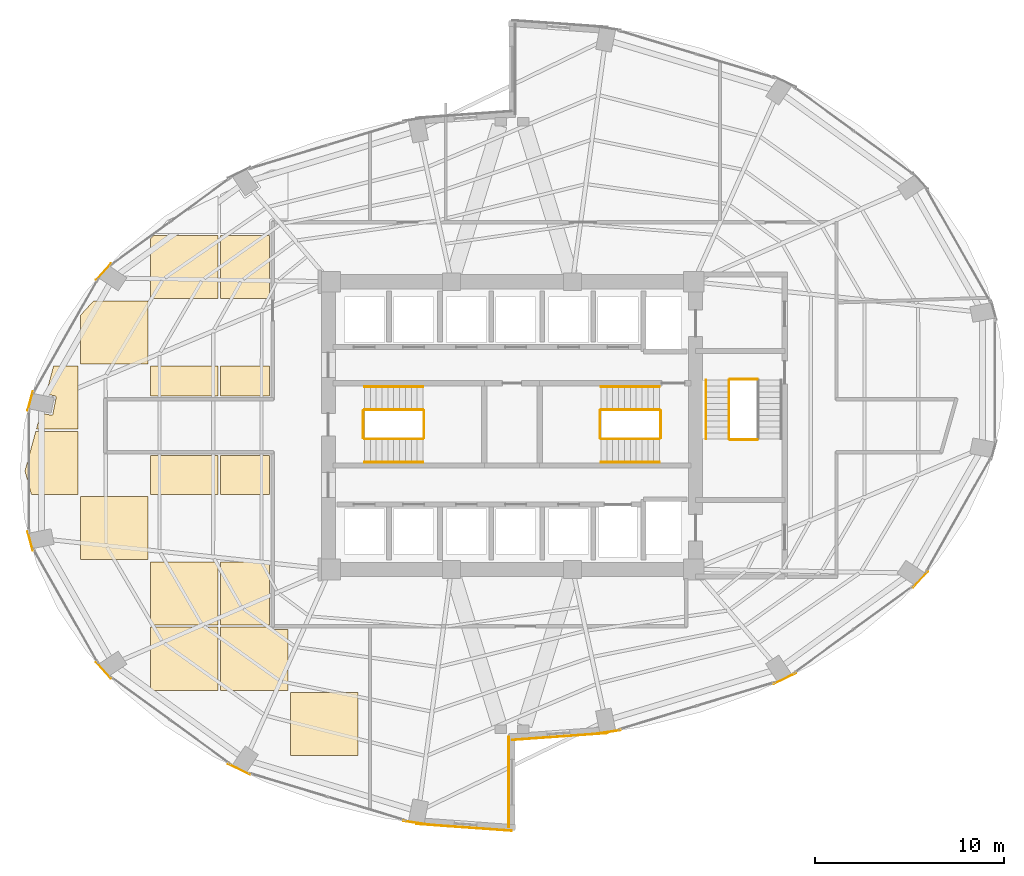
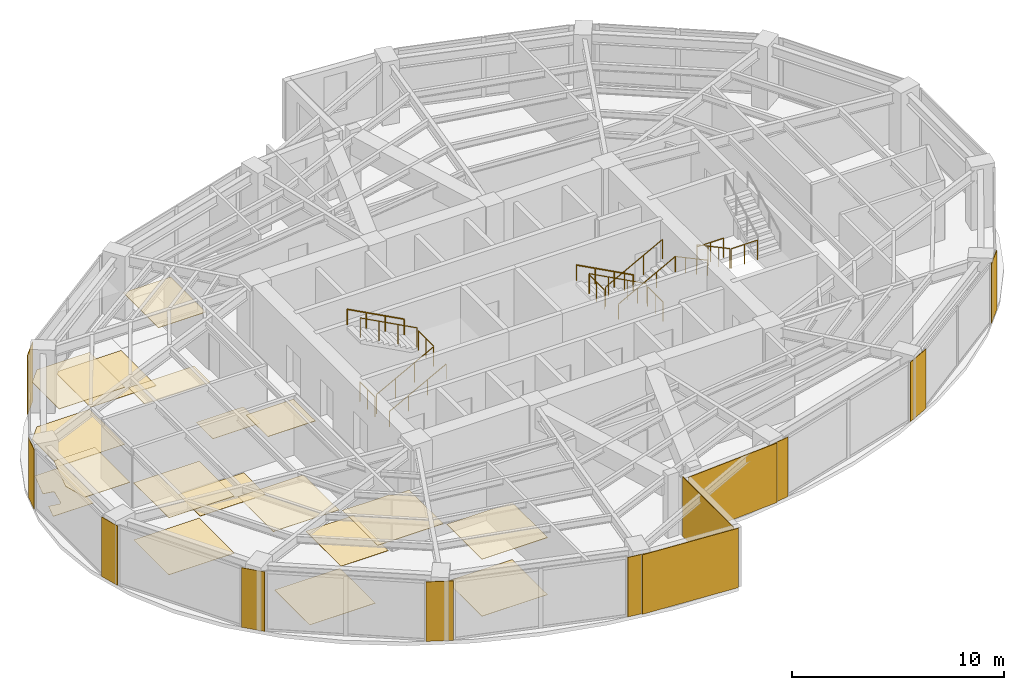
# One storey, part 22 of 23: 30 coverings, 16 railings.
"""IFC4 building model written with IfcOpenShell, lengths in metres."""

from ifc_helpers import new_model, si_unit, direction, frame, origin, origin_2d, place, context, subcontext, project, spatial, polyline, rectangle, circle, outline, extrude, material, layer, layer_set, type_object, element, save


model = new_model("IFC4")

# Units and contexts
model_context = context("Model", 3, precision=1e-05, world=origin(), true_north=direction((0.0, 1.0)))
body_context = subcontext(model_context, "Body", "Model", "MODEL_VIEW")
ifc_project = project(units=[si_unit("LENGTHUNIT", "METRE"), si_unit("AREAUNIT", "SQUARE_METRE"), si_unit("VOLUMEUNIT", "CUBIC_METRE"), si_unit("PLANEANGLEUNIT", "RADIAN"), si_unit("MASSUNIT", "GRAM", prefix="KILO")], contexts=[model_context])

# Site, building, storey
site_placement = place(None, origin())
site = spatial("IfcSite", under=ifc_project, at=site_placement, CompositionType="ELEMENT")
building_placement = place(site_placement, origin())
building = spatial("IfcBuilding", under=site, at=building_placement, Name="Lazwardi Medical Tower", CompositionType="ELEMENT")
storey_placement = place(building_placement, frame((0.0, 0.0, 121.8720703125)))
storey = spatial("IfcBuildingStorey", under=building, at=storey_placement, Name="L31", CompositionType="ELEMENT", Elevation=121.8720703125)

# Coverings
ifc_material_1 = material(Name="Anodised bronze aluminium cassette cladding", Category="aluminium")
ifc_layer_1 = layer(ifc_material_1, 0.030029296875)
ifc_layer_set_1 = layer_set([ifc_layer_1], Name="Anodised bronze aluminium cassette cladding")
covering_type_1 = type_object("IfcCoveringType", Name="COV-CLD-BRZ", PredefinedType="CLADDING", material=ifc_layer_set_1)
covering_1_placement = place(storey_placement, frame((41.064208984375, 11.80322265625, 0.0), z_axis=(0.0, 0.0, 1.0), x_axis=(0.989609019093, 0.143784523955, 0.0)))
element("IfcCovering", 1, at=covering_1_placement, inside=storey, type_object=covering_type_1, Name="L31 Mega-column bronze cassette cover M01", PredefinedType="CLADDING", context=body_context, shape_type="SweptSolid", body=[
    extrude(rectangle(XDim=1.392333984375, YDim=0.030029296875, at=origin_2d()), origin(), (0.0, 0.0, 1.0), 3.427978515625),
])
covering_2_placement = place(storey_placement, frame((50.421875, 14.634521484375, 0.0), z_axis=(0.0, 0.0, 1.0), x_axis=(0.898679250201, 0.438606435495, 0.0)))
element("IfcCovering", 2, at=covering_2_placement, inside=storey, type_object=covering_type_1, Name="L31 Mega-column bronze cassette cover M02", PredefinedType="CLADDING", context=body_context, shape_type="SweptSolid", body=[
    extrude(rectangle(XDim=1.2998046875, YDim=0.030029296875, at=origin_2d()), origin(), (0.0, 0.0, 1.0), 3.427978515625),
])
for number, where, z_axis, x_axis, name in (
    (3, (57.583740234375, 19.86572265625, 0.0), (0.0, 0.0, 1.0), (0.674925949214, 0.737885467453, 0.0), "L31 Mega-column bronze cassette cover M03"),
    (4, (14.416259765625, 36.13427734375, 0.0), (0.0, 0.0, 1.0), (-0.674925949214, -0.737885467453, 0.0), "L31 Mega-column bronze cassette cover M11"),
):
    element("IfcCovering", number, at=place(storey_placement, frame(where, z_axis=z_axis, x_axis=x_axis)), inside=storey, type_object=covering_type_1, Name=name, PredefinedType="CLADDING", context=body_context, shape_type="SweptSolid", body=[
        extrude(rectangle(XDim=1.15625, YDim=0.030029296875, at=origin_2d()), origin(), (0.0, 0.0, 1.0), 3.427978515625),
    ])
for number, where, z_axis, x_axis, name in (
    (5, (10.540283203125, 29.299072265625, 0.0), (0.0, 0.0, 1.0), (-0.262696108164, -0.964878621774, 0.0), "L31 Mega-column bronze cassette cover M12"),
    (6, (10.540283203125, 21.90087890625, 0.0), (0.0, 0.0, 1.0), (0.262696108164, -0.964878621774, 0.0), "L31 Mega-column bronze cassette cover M13"),
):
    element("IfcCovering", number, at=place(storey_placement, frame(where, z_axis=z_axis, x_axis=x_axis)), inside=storey, type_object=covering_type_1, Name=name, PredefinedType="CLADDING", context=body_context, shape_type="SweptSolid", body=[
        extrude(rectangle(XDim=1.04296875, YDim=0.030029296875, at=origin_2d()), origin(), (0.0, 0.0, 1.0), 3.427978515625),
    ])
covering_3_placement = place(storey_placement, frame((14.416259765625, 15.06591796875, 0.0), z_axis=(0.0, 0.0, 1.0), x_axis=(0.674925949214, -0.737885467453, 0.0)))
element("IfcCovering", 7, at=covering_3_placement, inside=storey, type_object=covering_type_1, Name="L31 Mega-column bronze cassette cover M14", PredefinedType="CLADDING", context=body_context, shape_type="SweptSolid", body=[
    extrude(rectangle(XDim=1.15625, YDim=0.030029296875, at=origin_2d()), origin(), (0.0, 0.0, 1.0), 3.427978515625),
])
covering_4_placement = place(storey_placement, frame((21.578125, 9.83447265625, 0.0), z_axis=(0.0, 0.0, 1.0), x_axis=(0.898679250201, -0.438606435495, 0.0)))
element("IfcCovering", 8, at=covering_4_placement, inside=storey, type_object=covering_type_1, Name="L31 Mega-column bronze cassette cover M15", PredefinedType="CLADDING", context=body_context, shape_type="SweptSolid", body=[
    extrude(rectangle(XDim=1.2998046875, YDim=0.030029296875, at=origin_2d()), origin(), (0.0, 0.0, 1.0), 3.427978515625),
])
covering_5_placement = place(storey_placement, frame((30.935791015625, 7.00341796875, 0.0), z_axis=(0.0, 0.0, 1.0), x_axis=(0.989609019093, -0.143784523955, 0.0)))
element("IfcCovering", 9, at=covering_5_placement, inside=storey, type_object=covering_type_1, Name="L31 Mega-column bronze cassette cover M16", PredefinedType="CLADDING", context=body_context, shape_type="SweptSolid", body=[
    extrude(rectangle(XDim=1.392333984375, YDim=0.030029296875, at=origin_2d()), origin(), (0.0, 0.0, 1.0), 3.427978515625),
])
ifc_material_2 = material(Name="Turquoise glazed ceramic tilework cladding", Category="masonry")
ifc_layer_2 = layer(ifc_material_2, 0.034912109375)
ifc_layer_set_2 = layer_set([ifc_layer_2], Name="Turquoise glazed ceramic tilework cladding")
covering_type_2 = type_object("IfcCoveringType", Name="COV-CLD-TRQ", PredefinedType="CLADDING", material=ifc_layer_set_2)
covering_6_placement = place(storey_placement, frame((38.533203125, 11.56591796875, 0.0), z_axis=(0.0, 0.0, 1.0), x_axis=(0.997431665415, 0.07162452672, 0.0)))
element("IfcCovering", 10, at=covering_6_placement, inside=storey, type_object=covering_type_2, Name="L31 Turquoise glazed ceramic tilework cladding", PredefinedType="CLADDING", context=body_context, shape_type="SweptSolid", body=[
    extrude(rectangle(XDim=5.05419921875, YDim=0.034912109375, at=origin_2d()), origin(), (0.0, 0.0, 1.0), 3.427978515625),
])
covering_7_placement = place(storey_placement, frame((33.466552734375, 6.76611328125, 0.0), z_axis=(0.0, 0.0, 1.0), x_axis=(0.997431165357, -0.071631490105, 0.0)))
element("IfcCovering", 11, at=covering_7_placement, inside=storey, type_object=covering_type_2, Name="L31 Turquoise glazed ceramic tilework cladding", PredefinedType="CLADDING", context=body_context, shape_type="SweptSolid", body=[
    extrude(rectangle(XDim=5.0537109375, YDim=0.034912109375, at=origin_2d()), origin(), (0.0, 0.0, 1.0), 3.427978515625),
])
covering_8_placement = place(storey_placement, frame((35.824462890625, 9.159912109375, 0.0), z_axis=(0.0, 0.0, 1.0), x_axis=(0.0, 1.0, 0.0)))
element("IfcCovering", 12, at=covering_8_placement, inside=storey, type_object=covering_type_2, Name="L31 Turquoise glazed ceramic tilework iwan panel", PredefinedType="CLADDING", context=body_context, shape_type="SweptSolid", body=[
    extrude(rectangle(XDim=4.800048828125, YDim=0.034912109375, at=origin_2d()), origin(), (0.0, 0.0, 1.0), 3.427978515625),
])
ifc_material_3 = material(Name="Acoustic mineral fibre tile")
ifc_layer_3 = layer(ifc_material_3, 0.02490234375)
ifc_layer_set_3 = layer_set([ifc_layer_3], Name="Acoustic mineral fibre tile")
covering_type_3 = type_object("IfcCoveringType", Name="COV-CLG-01", PredefinedType="CEILING", material=ifc_layer_set_3)
covering_9_placement = place(storey_placement, frame((0.0, 0.0, 3.282958984375)))
element("IfcCovering", 13, at=covering_9_placement, inside=storey, type_object=covering_type_3, Name="L31 Clinical Acoustic Ceiling 1", PredefinedType="CEILING", context=body_context, shape_type="SweptSolid", body=[
    extrude(outline(polyline([(10.833984375, 27.6923828125), (10.262939453125, 25.60009765625), (10.6005859375, 24.3623046875), (13.072998046875, 24.3623046875), (13.072998046875, 27.6923828125), (10.833984375, 27.6923828125)])), origin(), (0.0, 0.0, 1.0), 0.02490234375),
])
covering_10_placement = place(storey_placement, frame((0.0, 0.0, 3.282958984375)))
element("IfcCovering", 14, at=covering_10_placement, inside=storey, type_object=covering_type_3, Name="L31 Clinical Acoustic Ceiling 2", PredefinedType="CEILING", context=body_context, shape_type="SweptSolid", body=[
    extrude(outline(polyline([(16.77294921875, 20.912353515625), (16.77294921875, 24.242431640625), (13.19287109375, 24.242431640625), (13.19287109375, 20.912353515625), (16.77294921875, 20.912353515625)])), origin(), (0.0, 0.0, 1.0), 0.02490234375),
])
covering_11_placement = place(storey_placement, frame((0.0, 0.0, 3.282958984375)))
element("IfcCovering", 15, at=covering_11_placement, inside=storey, type_object=covering_type_3, Name="L31 Clinical Acoustic Ceiling 3", PredefinedType="CEILING", context=body_context, shape_type="SweptSolid", body=[
    extrude(outline(polyline([(13.89501953125, 34.59228515625), (13.19287109375, 33.826416015625), (13.19287109375, 31.262451171875), (16.77294921875, 31.262451171875), (16.77294921875, 34.59228515625), (13.89501953125, 34.59228515625)])), origin(), (0.0, 0.0, 1.0), 0.02490234375),
])
covering_12_placement = place(storey_placement, frame((0.0, 0.0, 3.282958984375)))
element("IfcCovering", 16, at=covering_12_placement, inside=storey, type_object=covering_type_3, Name="L31 Clinical Acoustic Ceiling 4", PredefinedType="CEILING", context=body_context, shape_type="SweptSolid", body=[
    extrude(outline(polyline([(20.472900390625, 17.46240234375), (20.472900390625, 20.79248046875), (16.892822265625, 20.79248046875), (16.892822265625, 17.46240234375), (20.472900390625, 17.46240234375)])), origin(), (0.0, 0.0, 1.0), 0.02490234375),
])
covering_13_placement = place(storey_placement, frame((0.0, 0.0, 3.282958984375)))
element("IfcCovering", 17, at=covering_13_placement, inside=storey, type_object=covering_type_3, Name="L31 Clinical Acoustic Ceiling 5", PredefinedType="CEILING", context=body_context, shape_type="SweptSolid", body=[
    extrude(outline(polyline([(16.892822265625, 29.574951171875), (20.472900390625, 29.574951171875), (20.472900390625, 31.142333984375), (16.892822265625, 31.142333984375), (16.892822265625, 29.574951171875)])), origin(), (0.0, 0.0, 1.0), 0.02490234375),
])
covering_14_placement = place(storey_placement, frame((0.0, 0.0, 3.282958984375)))
element("IfcCovering", 18, at=covering_14_placement, inside=storey, type_object=covering_type_3, Name="L31 Clinical Acoustic Ceiling 7", PredefinedType="CEILING", context=body_context, shape_type="SweptSolid", body=[
    extrude(outline(polyline([(24.1728515625, 17.22509765625), (23.35009765625, 17.22509765625), (23.345703125, 17.22509765625), (23.33642578125, 17.2255859375), (23.32958984375, 17.226318359375), (23.3203125, 17.2275390625), (23.31201171875, 17.229248046875), (23.302734375, 17.2314453125), (23.2958984375, 17.233642578125), (23.287109375, 17.23681640625), (23.279296875, 17.239990234375), (23.270751953125, 17.243896484375), (23.263916015625, 17.24755859375), (23.256103515625, 17.25244140625), (23.249267578125, 17.2568359375), (23.24169921875, 17.262451171875), (23.236083984375, 17.26708984375), (23.229248046875, 17.273193359375), (23.223388671875, 17.279296875), (23.217041015625, 17.2861328125), (23.21240234375, 17.291748046875), (23.206787109375, 17.29931640625), (23.202392578125, 17.305908203125), (23.197509765625, 17.31396484375), (23.194091796875, 17.32080078125), (23.18994140625, 17.3291015625), (23.186767578125, 17.3369140625), (23.184814453125, 17.34228515625), (20.593017578125, 17.34228515625), (20.593017578125, 14.012451171875), (24.1728515625, 14.012451171875), (24.1728515625, 17.22509765625)])), origin(), (0.0, 0.0, 1.0), 0.02490234375),
])
covering_15_placement = place(storey_placement, frame((0.0, 0.0, 3.282958984375)))
element("IfcCovering", 19, at=covering_15_placement, inside=storey, type_object=covering_type_3, Name="L31 Clinical Acoustic Ceiling 8", PredefinedType="CEILING", context=body_context, shape_type="SweptSolid", body=[
    extrude(outline(polyline([(23.175048828125, 24.3623046875), (23.175048828125, 26.425048828125), (20.593017578125, 26.425048828125), (20.593017578125, 24.3623046875), (23.175048828125, 24.3623046875)])), origin(), (0.0, 0.0, 1.0), 0.02490234375),
])
covering_16_placement = place(storey_placement, frame((0.0, 0.0, 3.282958984375)))
element("IfcCovering", 20, at=covering_16_placement, inside=storey, type_object=covering_type_3, Name="L31 Clinical Acoustic Ceiling 9", PredefinedType="CEILING", context=body_context, shape_type="SweptSolid", body=[
    extrude(outline(polyline([(23.175048828125, 34.71240234375), (23.175048828125, 38.04248046875), (20.593017578125, 38.04248046875), (20.593017578125, 34.71240234375), (23.175048828125, 34.71240234375)])), origin(), (0.0, 0.0, 1.0), 0.02490234375),
])
covering_17_placement = place(storey_placement, frame((0.0, 0.0, 3.282958984375)))
element("IfcCovering", 21, at=covering_17_placement, inside=storey, type_object=covering_type_3, Name="L31 Clinical Acoustic Ceiling 10", PredefinedType="CEILING", context=body_context, shape_type="SweptSolid", body=[
    extrude(outline(polyline([(27.872802734375, 10.5625), (27.872802734375, 13.892333984375), (24.29296875, 13.892333984375), (24.29296875, 10.5625), (27.872802734375, 10.5625)])), origin(), (0.0, 0.0, 1.0), 0.02490234375),
])
ifc_material_4 = material(Name="Anti-static hospital vinyl sheet flooring")
ifc_layer_4 = layer(ifc_material_4, 0.014892578125)
ifc_layer_set_4 = layer_set([ifc_layer_4], Name="Anti-static hospital vinyl sheet flooring")
covering_type_4 = type_object("IfcCoveringType", Name="COV-FLR-01", PredefinedType="FLOORING", material=ifc_layer_set_4)
covering_18_placement = place(storey_placement, origin())
element("IfcCovering", 22, at=covering_18_placement, inside=storey, type_object=covering_type_4, Name="L31 Clinical Vinyl Flooring 1", PredefinedType="FLOORING", context=body_context, shape_type="SweptSolid", body=[
    extrude(outline(polyline([(11.775390625, 31.142333984375), (11.371826171875, 29.663330078125), (11.8466796875, 29.569091796875), (11.854248046875, 29.567138671875), (11.861572265625, 29.564453125), (11.86865234375, 29.56103515625), (11.87548828125, 29.556884765625), (11.8818359375, 29.55224609375), (11.8876953125, 29.547119140625), (11.892822265625, 29.541259765625), (11.8974609375, 29.534912109375), (11.901611328125, 29.5283203125), (11.90478515625, 29.52099609375), (11.90771484375, 29.513671875), (11.909423828125, 29.506103515625), (11.91064453125, 29.498291015625), (11.910888671875, 29.490478515625), (11.91064453125, 29.482666015625), (11.909423828125, 29.474853515625), (11.73779296875, 28.61181640625), (11.73583984375, 28.604248046875), (11.733154296875, 28.5966796875), (11.72998046875, 28.589599609375), (11.725830078125, 28.5830078125), (11.72119140625, 28.57666015625), (11.7158203125, 28.57080078125), (11.710205078125, 28.565673828125), (11.70361328125, 28.560791015625), (11.697021484375, 28.556884765625), (11.68994140625, 28.553466796875), (11.6826171875, 28.55078125), (11.6748046875, 28.548828125), (11.6669921875, 28.5478515625), (11.6591796875, 28.54736328125), (11.651611328125, 28.5478515625), (11.643798828125, 28.548828125), (11.097412109375, 28.65771484375), (10.86669921875, 27.8125), (13.072998046875, 27.8125), (13.072998046875, 31.142333984375), (11.775390625, 31.142333984375)])), origin(), (0.0, 0.0, 1.0), 0.014892578125),
])
covering_19_placement = place(storey_placement, origin())
element("IfcCovering", 23, at=covering_19_placement, inside=storey, type_object=covering_type_4, Name="L31 Clinical Vinyl Flooring 2", PredefinedType="FLOORING", context=body_context, shape_type="SweptSolid", body=[
    extrude(outline(polyline([(16.77294921875, 20.912353515625), (16.77294921875, 24.242431640625), (13.19287109375, 24.242431640625), (13.19287109375, 20.912353515625), (16.77294921875, 20.912353515625)])), origin(), (0.0, 0.0, 1.0), 0.014892578125),
])
covering_20_placement = place(storey_placement, origin())
element("IfcCovering", 24, at=covering_20_placement, inside=storey, type_object=covering_type_4, Name="L31 Clinical Vinyl Flooring 3", PredefinedType="FLOORING", context=body_context, shape_type="SweptSolid", body=[
    extrude(outline(polyline([(13.89501953125, 34.59228515625), (13.19287109375, 33.826416015625), (13.19287109375, 31.262451171875), (16.77294921875, 31.262451171875), (16.77294921875, 34.59228515625), (13.89501953125, 34.59228515625)])), origin(), (0.0, 0.0, 1.0), 0.014892578125),
])
covering_21_placement = place(storey_placement, origin())
element("IfcCovering", 25, at=covering_21_placement, inside=storey, type_object=covering_type_4, Name="L31 Clinical Vinyl Flooring 4", PredefinedType="FLOORING", context=body_context, shape_type="SweptSolid", body=[
    extrude(outline(polyline([(20.472900390625, 14.012451171875), (20.472900390625, 17.34228515625), (16.892822265625, 17.34228515625), (16.892822265625, 14.012451171875), (20.472900390625, 14.012451171875)])), origin(), (0.0, 0.0, 1.0), 0.014892578125),
])
covering_22_placement = place(storey_placement, origin())
element("IfcCovering", 26, at=covering_22_placement, inside=storey, type_object=covering_type_4, Name="L31 Clinical Vinyl Flooring 5", PredefinedType="FLOORING", context=body_context, shape_type="SweptSolid", body=[
    extrude(outline(polyline([(20.472900390625, 26.425048828125), (16.892822265625, 26.425048828125), (16.892822265625, 24.3623046875), (20.472900390625, 24.3623046875), (20.472900390625, 26.425048828125)])), origin(), (0.0, 0.0, 1.0), 0.014892578125),
])
covering_23_placement = place(storey_placement, origin())
element("IfcCovering", 27, at=covering_23_placement, inside=storey, type_object=covering_type_4, Name="L31 Clinical Vinyl Flooring 6", PredefinedType="FLOORING", context=body_context, shape_type="SweptSolid", body=[
    extrude(outline(polyline([(17.057861328125, 38.04248046875), (16.892822265625, 37.862548828125), (16.892822265625, 34.71240234375), (20.472900390625, 34.71240234375), (20.472900390625, 38.04248046875), (17.057861328125, 38.04248046875)])), origin(), (0.0, 0.0, 1.0), 0.014892578125),
])
covering_24_placement = place(storey_placement, origin())
element("IfcCovering", 28, at=covering_24_placement, inside=storey, type_object=covering_type_4, Name="L31 Clinical Vinyl Flooring 7", PredefinedType="FLOORING", context=body_context, shape_type="SweptSolid", body=[
    extrude(outline(polyline([(23.175048828125, 17.46240234375), (23.175048828125, 20.79248046875), (20.593017578125, 20.79248046875), (20.593017578125, 17.46240234375), (23.175048828125, 17.46240234375)])), origin(), (0.0, 0.0, 1.0), 0.014892578125),
])
covering_25_placement = place(storey_placement, origin())
element("IfcCovering", 29, at=covering_25_placement, inside=storey, type_object=covering_type_4, Name="L31 Clinical Vinyl Flooring 8", PredefinedType="FLOORING", context=body_context, shape_type="SweptSolid", body=[
    extrude(outline(polyline([(20.593017578125, 29.574951171875), (23.175048828125, 29.574951171875), (23.175048828125, 31.142333984375), (20.593017578125, 31.142333984375), (20.593017578125, 29.574951171875)])), origin(), (0.0, 0.0, 1.0), 0.014892578125),
])
covering_26_placement = place(storey_placement, origin())
element("IfcCovering", 30, at=covering_26_placement, inside=storey, type_object=covering_type_4, Name="L31 Clinical Vinyl Flooring 10", PredefinedType="FLOORING", context=body_context, shape_type="SweptSolid", body=[
    extrude(outline(polyline([(27.872802734375, 10.5625), (27.872802734375, 13.892333984375), (24.29296875, 13.892333984375), (24.29296875, 10.5625), (27.872802734375, 10.5625)])), origin(), (0.0, 0.0, 1.0), 0.014892578125),
])

# Railings
ifc_material_5 = material(Name="Stainless steel Grade 316", Category="steel")
railing_type_1 = type_object("IfcRailingType", Name="RLG-GRD-1150", PredefinedType="GUARDRAIL", material=ifc_material_5)
railing_1_placement = place(storey_placement, frame((28.199951171875, 27.2900390625, 0.165771484375)))
element("IfcRailing", 31, at=railing_1_placement, inside=storey, type_object=railing_type_1, Name="L31 ST1 stair guard 1", PredefinedType="GUARDRAIL", context=body_context, shape_type="SweptSolid", body=[
    extrude(circle(Radius=0.02392578125, at=origin_2d()), frame((0.0, 0.0, 1.1259765625), z_axis=(0.881783298633, 0.0, 0.471654761719), x_axis=(0.0, 1.0, 0.0)), (0.0, 0.0, 1.0), 3.515625),
    extrude(circle(Radius=0.02099609375, at=origin_2d()), origin(), (0.0, 0.0, 1.0), 1.099853515625),
    extrude(circle(Radius=0.02099609375, at=origin_2d()), frame((1.033447265625, 0.0, 0.552734375)), (0.0, 0.0, 1.0), 1.099853515625),
    extrude(circle(Radius=0.02099609375, at=origin_2d()), frame((2.066650390625, 0.0, 1.10546875)), (0.0, 0.0, 1.0), 1.099853515625),
    extrude(circle(Radius=0.02099609375, at=origin_2d()), frame((3.10009765625, 0.0, 1.658203125)), (0.0, 0.0, 1.0), 1.099853515625),
])
railing_2_placement = place(storey_placement, frame((31.35009765625, 27.340087890625, 1.823974609375)))
element("IfcRailing", 32, at=railing_2_placement, inside=storey, type_object=railing_type_1, Name="L31 ST1 stair guard 2", PredefinedType="GUARDRAIL", context=body_context, shape_type="SweptSolid", body=[
    extrude(circle(Radius=0.02392578125, at=origin_2d()), frame((0.0, 0.0, 1.1259765625), z_axis=(0.0, 1.0, 0.0), x_axis=(-1.0, 0.0, 0.0)), (0.0, 0.0, 1.0), 1.43994140625),
    extrude(circle(Radius=0.02099609375, at=origin_2d()), origin(), (0.0, 0.0, 1.0), 1.099853515625),
    extrude(circle(Radius=0.02099609375, at=origin_2d()), frame((0.0, 0.719970703125, 0.0)), (0.0, 0.0, 1.0), 1.099853515625),
    extrude(circle(Radius=0.02099609375, at=origin_2d()), frame((0.0, 1.43994140625, 0.0)), (0.0, 0.0, 1.0), 1.099853515625),
])
railing_3_placement = place(storey_placement, frame((31.300048828125, 28.830078125, 1.98974609375)))
element("IfcRailing", 33, at=railing_3_placement, inside=storey, type_object=railing_type_1, Name="L31 ST1 stair guard 3", PredefinedType="GUARDRAIL", context=body_context, shape_type="SweptSolid", body=[
    extrude(circle(Radius=0.02392578125, at=origin_2d()), frame((0.0, 0.0, 1.1259765625), z_axis=(-0.881783298633, 0.0, 0.471654761719), x_axis=(0.0, -1.0, 0.0)), (0.0, 0.0, 1.0), 3.515625),
    extrude(circle(Radius=0.02099609375, at=origin_2d()), origin(), (0.0, 0.0, 1.0), 1.099853515625),
    extrude(circle(Radius=0.02099609375, at=origin_2d()), frame((-1.033447265625, 0.0, 0.552734375)), (0.0, 0.0, 1.0), 1.099853515625),
    extrude(circle(Radius=0.02099609375, at=origin_2d()), frame((-2.066650390625, 0.0, 1.10546875)), (0.0, 0.0, 1.0), 1.099853515625),
    extrude(circle(Radius=0.02099609375, at=origin_2d()), frame((-3.10009765625, 0.0, 1.658203125)), (0.0, 0.0, 1.0), 1.099853515625),
])
railing_4_placement = place(storey_placement, frame((28.14990234375, 27.340087890625, 0.0)))
element("IfcRailing", 34, at=railing_4_placement, inside=storey, type_object=railing_type_1, Name="L31 ST1 stair guard 4", PredefinedType="GUARDRAIL", context=body_context, shape_type="SweptSolid", body=[
    extrude(circle(Radius=0.02392578125, at=origin_2d()), frame((0.0, 0.0, 1.1259765625), z_axis=(0.0, 1.0, 0.0), x_axis=(-1.0, 0.0, 0.0)), (0.0, 0.0, 1.0), 1.43994140625),
    extrude(circle(Radius=0.02099609375, at=origin_2d()), origin(), (0.0, 0.0, 1.0), 1.099853515625),
    extrude(circle(Radius=0.02099609375, at=origin_2d()), frame((0.0, 0.719970703125, 0.0)), (0.0, 0.0, 1.0), 1.099853515625),
    extrude(circle(Radius=0.02099609375, at=origin_2d()), frame((0.0, 1.43994140625, 0.0)), (0.0, 0.0, 1.0), 1.099853515625),
])
railing_5_placement = place(storey_placement, frame((43.800048828125, 28.830078125, 0.165771484375)))
element("IfcRailing", 35, at=railing_5_placement, inside=storey, type_object=railing_type_1, Name="L31 ST2 stair guard 1", PredefinedType="GUARDRAIL", context=body_context, shape_type="SweptSolid", body=[
    extrude(circle(Radius=0.02392578125, at=origin_2d()), frame((0.0, 0.0, 1.1259765625), z_axis=(-0.881783298633, 0.0, 0.471654761719), x_axis=(0.0, -1.0, 0.0)), (0.0, 0.0, 1.0), 3.515625),
    extrude(circle(Radius=0.02099609375, at=origin_2d()), origin(), (0.0, 0.0, 1.0), 1.099853515625),
    extrude(circle(Radius=0.02099609375, at=origin_2d()), frame((-1.033447265625, 0.0, 0.552734375)), (0.0, 0.0, 1.0), 1.099853515625),
    extrude(circle(Radius=0.02099609375, at=origin_2d()), frame((-2.066650390625, 0.0, 1.10546875)), (0.0, 0.0, 1.0), 1.099853515625),
    extrude(circle(Radius=0.02099609375, at=origin_2d()), frame((-3.10009765625, 0.0, 1.658203125)), (0.0, 0.0, 1.0), 1.099853515625),
])
railing_6_placement = place(storey_placement, frame((40.64990234375, 28.780029296875, 1.823974609375)))
element("IfcRailing", 36, at=railing_6_placement, inside=storey, type_object=railing_type_1, Name="L31 ST2 stair guard 2", PredefinedType="GUARDRAIL", context=body_context, shape_type="SweptSolid", body=[
    extrude(circle(Radius=0.02392578125, at=origin_2d()), frame((0.0, 0.0, 1.1259765625), z_axis=(0.0, -1.0, 0.0), x_axis=(1.0, 0.0, 0.0)), (0.0, 0.0, 1.0), 1.43994140625),
    extrude(circle(Radius=0.02099609375, at=origin_2d()), origin(), (0.0, 0.0, 1.0), 1.099853515625),
    extrude(circle(Radius=0.02099609375, at=origin_2d()), frame((0.0, -0.719970703125, 0.0)), (0.0, 0.0, 1.0), 1.099853515625),
    extrude(circle(Radius=0.02099609375, at=origin_2d()), frame((0.0, -1.43994140625, 0.0)), (0.0, 0.0, 1.0), 1.099853515625),
])
railing_7_placement = place(storey_placement, frame((40.699951171875, 27.2900390625, 1.98974609375)))
element("IfcRailing", 37, at=railing_7_placement, inside=storey, type_object=railing_type_1, Name="L31 ST2 stair guard 3", PredefinedType="GUARDRAIL", context=body_context, shape_type="SweptSolid", body=[
    extrude(circle(Radius=0.02392578125, at=origin_2d()), frame((0.0, 0.0, 1.1259765625), z_axis=(0.881783298633, 0.0, 0.471654761719), x_axis=(0.0, 1.0, 0.0)), (0.0, 0.0, 1.0), 3.515625),
    extrude(circle(Radius=0.02099609375, at=origin_2d()), origin(), (0.0, 0.0, 1.0), 1.099853515625),
    extrude(circle(Radius=0.02099609375, at=origin_2d()), frame((1.033447265625, 0.0, 0.552734375)), (0.0, 0.0, 1.0), 1.099853515625),
    extrude(circle(Radius=0.02099609375, at=origin_2d()), frame((2.066650390625, 0.0, 1.10546875)), (0.0, 0.0, 1.0), 1.099853515625),
    extrude(circle(Radius=0.02099609375, at=origin_2d()), frame((3.10009765625, 0.0, 1.658203125)), (0.0, 0.0, 1.0), 1.099853515625),
])
railing_8_placement = place(storey_placement, frame((43.85009765625, 28.780029296875, 0.0)))
element("IfcRailing", 38, at=railing_8_placement, inside=storey, type_object=railing_type_1, Name="L31 ST2 stair guard 4", PredefinedType="GUARDRAIL", context=body_context, shape_type="SweptSolid", body=[
    extrude(circle(Radius=0.02392578125, at=origin_2d()), frame((0.0, 0.0, 1.1259765625), z_axis=(0.0, -1.0, 0.0), x_axis=(1.0, 0.0, 0.0)), (0.0, 0.0, 1.0), 1.43994140625),
    extrude(circle(Radius=0.02099609375, at=origin_2d()), origin(), (0.0, 0.0, 1.0), 1.099853515625),
    extrude(circle(Radius=0.02099609375, at=origin_2d()), frame((0.0, -0.719970703125, 0.0)), (0.0, 0.0, 1.0), 1.099853515625),
    extrude(circle(Radius=0.02099609375, at=origin_2d()), frame((0.0, -1.43994140625, 0.0)), (0.0, 0.0, 1.0), 1.099853515625),
])
railing_9_placement = place(storey_placement, frame((47.469970703125, 30.39990234375, 0.165771484375)))
element("IfcRailing", 39, at=railing_9_placement, inside=storey, type_object=railing_type_1, Name="L31 ST3 stair guard 1", PredefinedType="GUARDRAIL", context=body_context, shape_type="SweptSolid", body=[
    extrude(circle(Radius=0.02392578125, at=origin_2d()), frame((0.0, 0.0, 1.1259765625), z_axis=(0.0, -0.881767849116, 0.471683644262), x_axis=(1.0, 0.0, 0.0)), (0.0, 0.0, 1.0), 3.515380859375),
    extrude(circle(Radius=0.02099609375, at=origin_2d()), origin(), (0.0, 0.0, 1.0), 1.099853515625),
    extrude(circle(Radius=0.02099609375, at=origin_2d()), frame((0.0, -1.033203125, 0.552734375)), (0.0, 0.0, 1.0), 1.099853515625),
    extrude(circle(Radius=0.02099609375, at=origin_2d()), frame((0.0, -2.066650390625, 1.10546875)), (0.0, 0.0, 1.0), 1.099853515625),
    extrude(circle(Radius=0.02099609375, at=origin_2d()), frame((0.0, -3.099853515625, 1.658203125)), (0.0, 0.0, 1.0), 1.099853515625),
])
for number, where, name in (
    (40, (47.52001953125, 27.25, 1.823974609375), "L31 ST3 stair guard 2"),
    (41, (47.52001953125, 30.449951171875, 0.0), "L31 ST3 stair guard 4"),
):
    element("IfcRailing", number, at=place(storey_placement, frame(where)), inside=storey, type_object=railing_type_1, Name=name, PredefinedType="GUARDRAIL", context=body_context, shape_type="SweptSolid", body=[
        extrude(circle(Radius=0.02392578125, at=origin_2d()), frame((0.0, 0.0, 1.1259765625), z_axis=(1.0, 0.0, 0.0), x_axis=(0.0, 1.0, 0.0)), (0.0, 0.0, 1.0), 1.43994140625),
        extrude(circle(Radius=0.02099609375, at=origin_2d()), origin(), (0.0, 0.0, 1.0), 1.099853515625),
        extrude(circle(Radius=0.02099609375, at=origin_2d()), frame((0.719970703125, 0.0, 0.0)), (0.0, 0.0, 1.0), 1.099853515625),
        extrude(circle(Radius=0.02099609375, at=origin_2d()), frame((1.43994140625, 0.0, 0.0)), (0.0, 0.0, 1.0), 1.099853515625),
    ])
railing_type_2 = type_object("IfcRailingType", Name="RLG-HND-920", PredefinedType="HANDRAIL", material=ifc_material_5)
railing_10_placement = place(storey_placement, frame((28.199951171875, 26.070068359375, 0.165771484375)))
element("IfcRailing", 42, at=railing_10_placement, inside=storey, type_object=railing_type_2, Name="L31 ST1 stair handrail 1", PredefinedType="HANDRAIL", context=body_context, shape_type="SweptSolid", body=[
    extrude(circle(Radius=0.02392578125, at=origin_2d()), frame((0.0, 0.0, 0.8857421875), z_axis=(0.881783298633, 0.0, 0.471654761719), x_axis=(0.0, 1.0, 0.0)), (0.0, 0.0, 1.0), 3.515625),
    extrude(circle(Radius=0.02099609375, at=origin_2d()), origin(), (0.0, 0.0, 1.0), 0.85986328125),
    extrude(circle(Radius=0.02099609375, at=origin_2d()), frame((1.033447265625, 0.0, 0.552734375)), (0.0, 0.0, 1.0), 0.85986328125),
    extrude(circle(Radius=0.02099609375, at=origin_2d()), frame((2.066650390625, 0.0, 1.10546875)), (0.0, 0.0, 1.0), 0.85986328125),
    extrude(circle(Radius=0.02099609375, at=origin_2d()), frame((3.10009765625, 0.0, 1.658203125)), (0.0, 0.0, 1.0), 0.85986328125),
])
for number, where, name in (
    (43, (31.300048828125, 30.050048828125, 1.98974609375), "L31 ST1 stair handrail 2"),
    (44, (43.800048828125, 30.050048828125, 0.165771484375), "L31 ST2 stair handrail 1"),
):
    element("IfcRailing", number, at=place(storey_placement, frame(where)), inside=storey, type_object=railing_type_2, Name=name, PredefinedType="HANDRAIL", context=body_context, shape_type="SweptSolid", body=[
        extrude(circle(Radius=0.02392578125, at=origin_2d()), frame((0.0, 0.0, 0.8857421875), z_axis=(-0.881783298633, 0.0, 0.471654761719), x_axis=(0.0, -1.0, 0.0)), (0.0, 0.0, 1.0), 3.515625),
        extrude(circle(Radius=0.02099609375, at=origin_2d()), origin(), (0.0, 0.0, 1.0), 0.85986328125),
        extrude(circle(Radius=0.02099609375, at=origin_2d()), frame((-1.033447265625, 0.0, 0.552734375)), (0.0, 0.0, 1.0), 0.85986328125),
        extrude(circle(Radius=0.02099609375, at=origin_2d()), frame((-2.066650390625, 0.0, 1.10546875)), (0.0, 0.0, 1.0), 0.85986328125),
        extrude(circle(Radius=0.02099609375, at=origin_2d()), frame((-3.10009765625, 0.0, 1.658203125)), (0.0, 0.0, 1.0), 0.85986328125),
    ])
railing_11_placement = place(storey_placement, frame((40.699951171875, 26.070068359375, 1.98974609375)))
element("IfcRailing", 45, at=railing_11_placement, inside=storey, type_object=railing_type_2, Name="L31 ST2 stair handrail 2", PredefinedType="HANDRAIL", context=body_context, shape_type="SweptSolid", body=[
    extrude(circle(Radius=0.02392578125, at=origin_2d()), frame((0.0, 0.0, 0.8857421875), z_axis=(0.881783298633, 0.0, 0.471654761719), x_axis=(0.0, 1.0, 0.0)), (0.0, 0.0, 1.0), 3.515625),
    extrude(circle(Radius=0.02099609375, at=origin_2d()), origin(), (0.0, 0.0, 1.0), 0.85986328125),
    extrude(circle(Radius=0.02099609375, at=origin_2d()), frame((1.033447265625, 0.0, 0.552734375)), (0.0, 0.0, 1.0), 0.85986328125),
    extrude(circle(Radius=0.02099609375, at=origin_2d()), frame((2.066650390625, 0.0, 1.10546875)), (0.0, 0.0, 1.0), 0.85986328125),
    extrude(circle(Radius=0.02099609375, at=origin_2d()), frame((3.10009765625, 0.0, 1.658203125)), (0.0, 0.0, 1.0), 0.85986328125),
])
railing_12_placement = place(storey_placement, frame((46.25, 30.39990234375, 0.165771484375)))
element("IfcRailing", 46, at=railing_12_placement, inside=storey, type_object=railing_type_2, Name="L31 ST3 stair handrail 1", PredefinedType="HANDRAIL", context=body_context, shape_type="SweptSolid", body=[
    extrude(circle(Radius=0.02392578125, at=origin_2d()), frame((0.0, 0.0, 0.8857421875), z_axis=(0.0, -0.881767849116, 0.471683644262), x_axis=(1.0, 0.0, 0.0)), (0.0, 0.0, 1.0), 3.515380859375),
    extrude(circle(Radius=0.02099609375, at=origin_2d()), origin(), (0.0, 0.0, 1.0), 0.85986328125),
    extrude(circle(Radius=0.02099609375, at=origin_2d()), frame((0.0, -1.033203125, 0.552734375)), (0.0, 0.0, 1.0), 0.85986328125),
    extrude(circle(Radius=0.02099609375, at=origin_2d()), frame((0.0, -2.066650390625, 1.10546875)), (0.0, 0.0, 1.0), 0.85986328125),
    extrude(circle(Radius=0.02099609375, at=origin_2d()), frame((0.0, -3.099853515625, 1.658203125)), (0.0, 0.0, 1.0), 0.85986328125),
])

save(model, "model.ifc")
